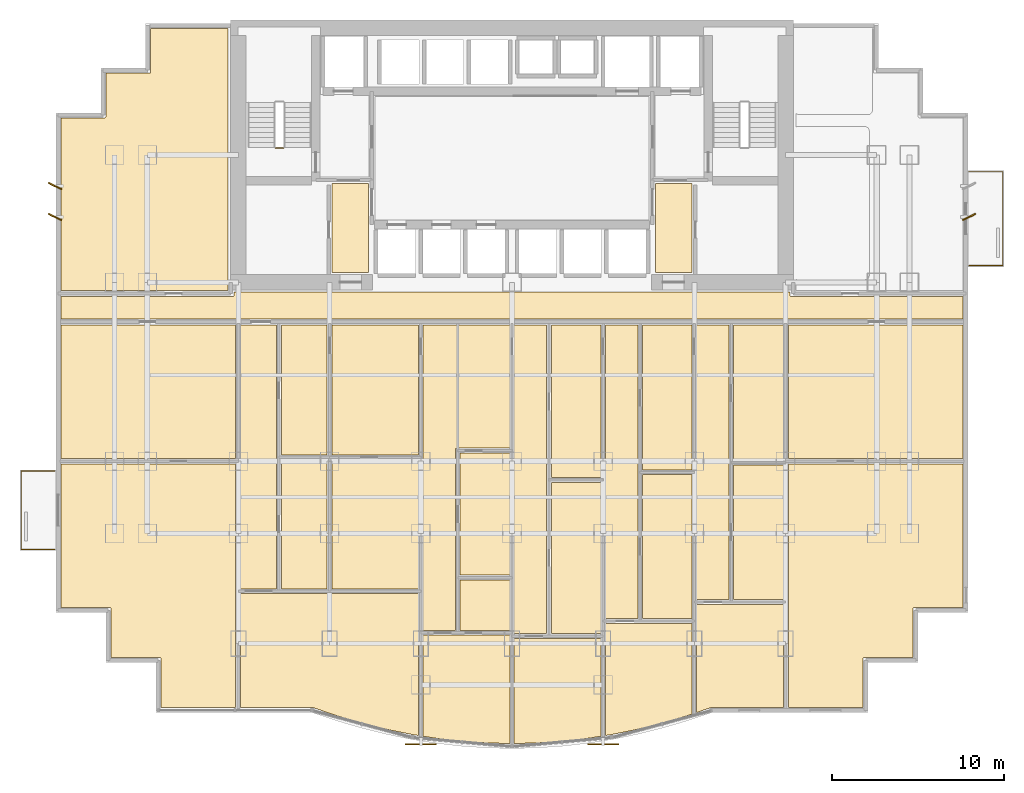
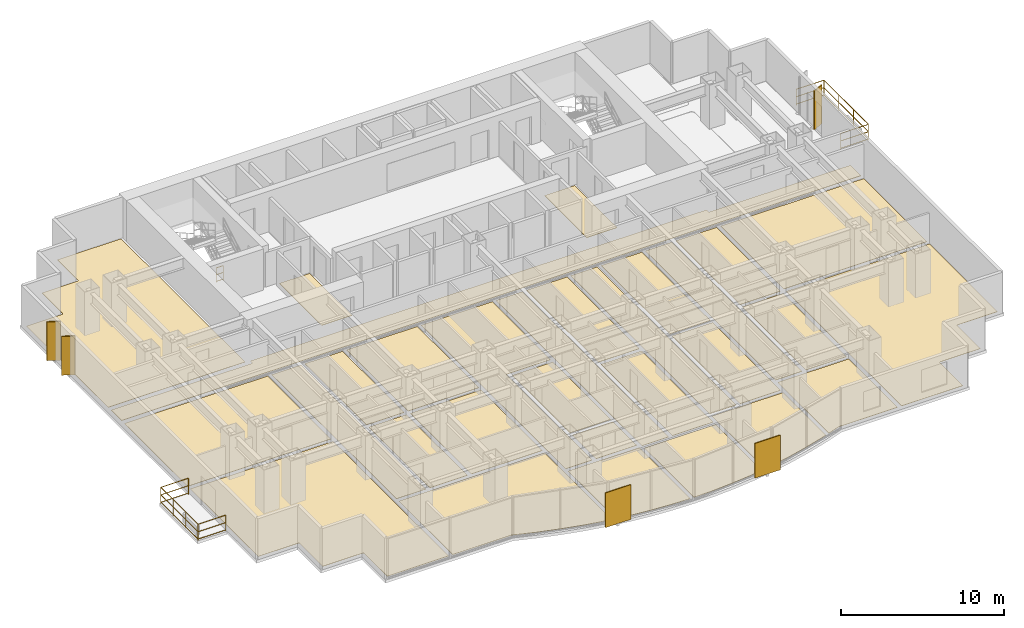
# One storey, part 9 of 10: 30 coverings, 5 shading devices, 3 railings.
"""IFC4 building model written with IfcOpenShell, lengths in metres."""

from ifc_helpers import new_model, si_unit, direction, frame, origin, origin_2d, place, context, subcontext, project, spatial, polyline, rectangle, circle, outline, extrude, source, transform, mapped, material, layer, layer_set, type_object, element, save


model = new_model("IFC4")

# Units and contexts
model_context = context("Model", 3, precision=1e-05, world=origin(), true_north=direction((0.0, 1.0)))
body_context = subcontext(model_context, "Body", "Model", "MODEL_VIEW")
ifc_project = project(units=[si_unit("LENGTHUNIT", "METRE"), si_unit("AREAUNIT", "SQUARE_METRE"), si_unit("VOLUMEUNIT", "CUBIC_METRE"), si_unit("PLANEANGLEUNIT", "RADIAN"), si_unit("MASSUNIT", "GRAM", prefix="KILO")], contexts=[model_context])

# Site, building, storey
site_placement = place(None, origin())
site = spatial("IfcSite", under=ifc_project, at=site_placement, CompositionType="ELEMENT")
building_placement = place(site_placement, origin())
building = spatial("IfcBuilding", under=site, at=building_placement, Name="Qianlan Lanfeng Residences", CompositionType="ELEMENT")
storey_placement = place(building_placement, frame((0.0, 0.0, 57.199951171875)))
storey = spatial("IfcBuildingStorey", under=building, at=storey_placement, Name="L15", CompositionType="ELEMENT", Elevation=57.199951171875)

# Coverings
ifc_material_1 = material(Name="Honed Taitung Granite Stone Flooring", Category="masonry")
ifc_layer_1 = layer(ifc_material_1, 0.030029296875)
ifc_layer_set_1 = layer_set([ifc_layer_1], Name="Honed Taitung Granite Stone Flooring")
covering_type_1 = type_object("IfcCoveringType", Name="FLR-STN-30", PredefinedType="FLOORING", material=ifc_layer_set_1)
covering_1_placement = place(storey_placement, origin())
element("IfcCovering", 1, at=covering_1_placement, inside=storey, type_object=covering_type_1, Name="L15 Residential Corridor Floor Finish", PredefinedType="FLOORING", context=body_context, shape_type="SweptSolid", body=[
    extrude(outline(polyline([(0.2900390625, 23.080078125), (52.7099609375, 23.080078125), (52.7099609375, 24.3701171875), (42.739990234375, 24.3701171875), (42.73291015625, 24.3701171875), (42.72607421875, 24.37109375), (42.719970703125, 24.373046875), (42.712890625, 24.375), (42.70703125, 24.3779296875), (42.700927734375, 24.382080078125), (42.696044921875, 24.385986328125), (42.69091796875, 24.39111328125), (42.68603515625, 24.39599609375), (42.681884765625, 24.40087890625), (42.677978515625, 24.406982421875), (42.675048828125, 24.4130859375), (42.673095703125, 24.419921875), (42.6708984375, 24.426025390625), (42.669921875, 24.43310546875), (42.669921875, 24.43994140625), (42.669921875, 24.64990234375), (10.330078125, 24.64990234375), (10.330078125, 24.43994140625), (10.330078125, 24.43310546875), (10.3291015625, 24.426025390625), (10.326904296875, 24.419921875), (10.324951171875, 24.4130859375), (10.322021484375, 24.406982421875), (10.318115234375, 24.40087890625), (10.31396484375, 24.39599609375), (10.30908203125, 24.39111328125), (10.303955078125, 24.385986328125), (10.299072265625, 24.382080078125), (10.29296875, 24.3779296875), (10.287109375, 24.375), (10.280029296875, 24.373046875), (10.27392578125, 24.37109375), (10.26708984375, 24.3701171875), (10.260009765625, 24.3701171875), (0.2900390625, 24.3701171875), (0.2900390625, 23.080078125)])), origin(), (0.0, 0.0, 1.0), 0.030029296875),
])
covering_2_placement = place(storey_placement, origin())
element("IfcCovering", 2, at=covering_2_placement, inside=storey, type_object=covering_type_1, Name="L15 Lift Lobby Floor Finish", PredefinedType="FLOORING", context=body_context, shape_type="SweptSolid", body=[
    extrude(outline(polyline([(16.030029296875, 25.760009765625), (18.169921875, 25.760009765625), (18.169921875, 30.949951171875), (16.030029296875, 30.949951171875), (16.030029296875, 25.760009765625)])), origin(), (0.0, 0.0, 1.0), 0.030029296875),
])
covering_3_placement = place(storey_placement, origin())
element("IfcCovering", 3, at=covering_3_placement, inside=storey, type_object=covering_type_1, Name="L15 Lift Lobby Floor Finish", PredefinedType="FLOORING", context=body_context, shape_type="SweptSolid", body=[
    extrude(outline(polyline([(34.830078125, 25.760009765625), (36.969970703125, 25.760009765625), (36.969970703125, 30.949951171875), (34.830078125, 30.949951171875), (34.830078125, 25.760009765625)])), origin(), (0.0, 0.0, 1.0), 0.030029296875),
])
ifc_material_2 = material(Name="Slip-Resistant Porcelain Tile Flooring")
ifc_layer_2 = layer(ifc_material_2, 0.02001953125)
ifc_layer_set_2 = layer_set([ifc_layer_2], Name="Slip-Resistant Porcelain Tile Flooring")
covering_type_2 = type_object("IfcCoveringType", Name="FLR-TIL-20", PredefinedType="FLOORING", material=ifc_layer_set_2)
covering_4_placement = place(storey_placement, origin())
element("IfcCovering", 4, at=covering_4_placement, inside=storey, type_object=covering_type_2, Name="L15 Kitchen Floor Finish", PredefinedType="FLOORING", context=body_context, shape_type="SweptSolid", body=[
    extrude(outline(polyline([(13.090087890625, 7.386962890625), (15.760009765625, 7.386962890625), (15.760009765625, 14.884033203125), (13.090087890625, 14.884033203125), (13.090087890625, 7.386962890625)])), origin(), (0.0, 0.0, 1.0), 0.02001953125),
])
covering_5_placement = place(storey_placement, origin())
element("IfcCovering", 5, at=covering_5_placement, inside=storey, type_object=covering_type_2, Name="L15 Bathroom Floor Finish", PredefinedType="FLOORING", context=body_context, shape_type="SweptSolid", body=[
    extrude(outline(polyline([(13.090087890625, 15.1640625), (15.760009765625, 15.1640625), (15.760009765625, 22.72998046875), (13.090087890625, 22.72998046875), (13.090087890625, 15.1640625)])), origin(), (0.0, 0.0, 1.0), 0.02001953125),
])
covering_6_placement = place(storey_placement, origin())
element("IfcCovering", 6, at=covering_6_placement, inside=storey, type_object=covering_type_2, Name="L15 En-Suite Bathroom Floor Finish", PredefinedType="FLOORING", context=body_context, shape_type="SweptSolid", body=[
    extrude(outline(polyline([(23.489990234375, 4.97412109375), (26.3701171875, 4.97412109375), (26.3701171875, 7.89404296875), (23.489990234375, 7.89404296875), (23.489990234375, 4.97412109375)])), origin(), (0.0, 0.0, 1.0), 0.02001953125),
])
ifc_material_3 = material(Name="Engineered Smoked Oak Timber Flooring", Category="wood")
ifc_layer_3 = layer(ifc_material_3, 0.02197265625)
ifc_layer_set_3 = layer_set([ifc_layer_3], Name="Engineered Smoked Oak Timber Flooring")
covering_type_3 = type_object("IfcCoveringType", Name="FLR-TIM-22", PredefinedType="FLOORING", material=ifc_layer_set_3)
covering_7_placement = place(storey_placement, origin())
element("IfcCovering", 7, at=covering_7_placement, inside=storey, type_object=covering_type_3, Name="L15 Living and Dining Room Floor Finish", PredefinedType="FLOORING", context=body_context, shape_type="SweptSolid", body=[
    extrude(outline(polyline([(10.72998046875, 7.10693359375), (10.72998046875, 0.489990234375), (14.885986328125, 0.489990234375), (14.89404296875, 0.489990234375), (14.90087890625, 0.488037109375), (14.908935546875, 0.486083984375), (16.39306640625, -0.014892578125), (17.837890625, -0.43896484375), (19.282958984375, -0.797119140625), (20.72607421875, -1.090087890625), (21.070068359375, -1.14404296875), (21.070068359375, 7.10693359375), (10.72998046875, 7.10693359375)])), origin(), (0.0, 0.0, 1.0), 0.02197265625),
])
covering_8_placement = place(storey_placement, origin())
element("IfcCovering", 8, at=covering_8_placement, inside=storey, type_object=covering_type_3, Name="L15 Family Sitting Room Floor Finish", PredefinedType="FLOORING", context=body_context, shape_type="SweptSolid", body=[
    extrude(outline(polyline([(10.72998046875, 7.386962890625), (12.81005859375, 7.386962890625), (12.81005859375, 22.72998046875), (10.72998046875, 22.72998046875), (10.72998046875, 7.386962890625)])), origin(), (0.0, 0.0, 1.0), 0.02197265625),
])
covering_9_placement = place(storey_placement, origin())
element("IfcCovering", 9, at=covering_9_placement, inside=storey, type_object=covering_type_3, Name="L15 Yoga Studio Floor Finish", PredefinedType="FLOORING", context=body_context, shape_type="SweptSolid", body=[
    extrude(outline(polyline([(16.0400390625, 7.386962890625), (21.06005859375, 7.386962890625), (21.06005859375, 14.884033203125), (16.0400390625, 14.884033203125), (16.0400390625, 7.386962890625)])), origin(), (0.0, 0.0, 1.0), 0.02197265625),
])
covering_10_placement = place(storey_placement, origin())
element("IfcCovering", 10, at=covering_10_placement, inside=storey, type_object=covering_type_3, Name="L15 Club Reading Salon Floor Finish", PredefinedType="FLOORING", context=body_context, shape_type="SweptSolid", body=[
    extrude(outline(polyline([(16.0400390625, 15.1640625), (21.06005859375, 15.1640625), (21.06005859375, 22.72998046875), (16.0400390625, 22.72998046875), (16.0400390625, 15.1640625)])), origin(), (0.0, 0.0, 1.0), 0.02197265625),
])
covering_11_placement = place(storey_placement, origin())
element("IfcCovering", 11, at=covering_11_placement, inside=storey, type_object=covering_type_3, Name="L15 Private Study Floor Finish", PredefinedType="FLOORING", context=body_context, shape_type="SweptSolid", body=[
    extrude(outline(polyline([(23.489990234375, 8.174072265625), (26.3701171875, 8.174072265625), (26.3701171875, 15.277099609375), (23.489990234375, 15.277099609375), (23.489990234375, 8.174072265625)])), origin(), (0.0, 0.0, 1.0), 0.02197265625),
])
covering_12_placement = place(storey_placement, origin())
element("IfcCovering", 12, at=covering_12_placement, inside=storey, type_object=covering_type_3, Name="L15 Villa Family Sitting Room Floor Finish", PredefinedType="FLOORING", context=body_context, shape_type="SweptSolid", body=[
    extrude(outline(polyline([(21.330078125, 4.97412109375), (23.2099609375, 4.97412109375), (23.2099609375, 15.487060546875), (23.2099609375, 15.493896484375), (23.2109375, 15.5009765625), (23.212890625, 15.507080078125), (23.215087890625, 15.513916015625), (23.218017578125, 15.52001953125), (23.221923828125, 15.52587890625), (23.22607421875, 15.531005859375), (23.23095703125, 15.535888671875), (23.236083984375, 15.541015625), (23.240966796875, 15.544921875), (23.2470703125, 15.549072265625), (23.2529296875, 15.552001953125), (23.260009765625, 15.553955078125), (23.26611328125, 15.555908203125), (23.27294921875, 15.556884765625), (23.280029296875, 15.556884765625), (26.3701171875, 15.556884765625), (26.3701171875, 22.72998046875), (21.330078125, 22.72998046875), (21.330078125, 4.97412109375)])), origin(), (0.0, 0.0, 1.0), 0.02197265625),
])
covering_13_placement = place(storey_placement, origin())
element("IfcCovering", 13, at=covering_13_placement, inside=storey, type_object=covering_type_3, Name="L15 Master Bedroom Floor Finish", PredefinedType="FLOORING", context=body_context, shape_type="SweptSolid", body=[
    extrude(outline(polyline([(21.330078125, 4.694091796875), (21.330078125, -1.18505859375), (22.169921875, -1.318115234375), (23.613037109375, -1.47998046875), (25.056884765625, -1.576904296875), (26.3701171875, -1.60693359375), (26.3701171875, 4.694091796875), (21.330078125, 4.694091796875)])), origin(), (0.0, 0.0, 1.0), 0.02197265625),
])
covering_14_placement = place(storey_placement, origin())
element("IfcCovering", 14, at=covering_14_placement, inside=storey, type_object=covering_type_3, Name="L15 Guest Bedroom Floor Finish", PredefinedType="FLOORING", context=body_context, shape_type="SweptSolid", body=[
    extrude(outline(polyline([(26.6298828125, 4.493896484375), (26.6298828125, -1.60693359375), (27.943115234375, -1.576904296875), (29.385986328125, -1.47998046875), (30.830078125, -1.318115234375), (31.669921875, -1.18505859375), (31.669921875, 4.493896484375), (26.6298828125, 4.493896484375)])), origin(), (0.0, 0.0, 1.0), 0.02197265625),
])
covering_15_placement = place(storey_placement, origin())
element("IfcCovering", 15, at=covering_15_placement, inside=storey, type_object=covering_type_3, Name="L15 Private Study Floor Finish", PredefinedType="FLOORING", context=body_context, shape_type="SweptSolid", body=[
    extrude(outline(polyline([(28.7900390625, 4.77392578125), (31.669921875, 4.77392578125), (31.669921875, 13.576904296875), (28.7900390625, 13.576904296875), (28.7900390625, 4.77392578125)])), origin(), (0.0, 0.0, 1.0), 0.02197265625),
])
covering_16_placement = place(storey_placement, origin())
element("IfcCovering", 16, at=covering_16_placement, inside=storey, type_object=covering_type_3, Name="L15 Yoga Studio Floor Finish", PredefinedType="FLOORING", context=body_context, shape_type="SweptSolid", body=[
    extrude(outline(polyline([(28.7900390625, 13.85693359375), (31.669921875, 13.85693359375), (31.669921875, 22.72998046875), (28.7900390625, 22.72998046875), (28.7900390625, 13.85693359375)])), origin(), (0.0, 0.0, 1.0), 0.02197265625),
])
covering_17_placement = place(storey_placement, origin())
element("IfcCovering", 17, at=covering_17_placement, inside=storey, type_object=covering_type_3, Name="L15 Home Office Floor Finish", PredefinedType="FLOORING", context=body_context, shape_type="SweptSolid", body=[
    extrude(outline(polyline([(26.6298828125, 4.77392578125), (28.510009765625, 4.77392578125), (28.510009765625, 22.72998046875), (26.6298828125, 22.72998046875), (26.6298828125, 4.77392578125)])), origin(), (0.0, 0.0, 1.0), 0.02197265625),
])
covering_18_placement = place(storey_placement, origin())
element("IfcCovering", 18, at=covering_18_placement, inside=storey, type_object=covering_type_3, Name="L15 Guest Bedroom Floor Finish", PredefinedType="FLOORING", context=body_context, shape_type="SweptSolid", body=[
    extrude(outline(polyline([(31.929931640625, 5.373046875), (31.929931640625, -1.14404296875), (32.27392578125, -1.090087890625), (33.717041015625, -0.797119140625), (35.160888671875, -0.43896484375), (36.60693359375, -0.014892578125), (36.969970703125, 0.10693359375), (36.969970703125, 5.373046875), (31.929931640625, 5.373046875)])), origin(), (0.0, 0.0, 1.0), 0.02197265625),
])
covering_19_placement = place(storey_placement, origin())
element("IfcCovering", 19, at=covering_19_placement, inside=storey, type_object=covering_type_3, Name="L15 Private Study Floor Finish", PredefinedType="FLOORING", context=body_context, shape_type="SweptSolid", body=[
    extrude(outline(polyline([(34.090087890625, 5.653076171875), (36.969970703125, 5.653076171875), (36.969970703125, 14.01708984375), (34.090087890625, 14.01708984375), (34.090087890625, 5.653076171875)])), origin(), (0.0, 0.0, 1.0), 0.02197265625),
])
covering_20_placement = place(storey_placement, origin())
element("IfcCovering", 20, at=covering_20_placement, inside=storey, type_object=covering_type_3, Name="L15 Yoga Studio Floor Finish", PredefinedType="FLOORING", context=body_context, shape_type="SweptSolid", body=[
    extrude(outline(polyline([(34.090087890625, 14.297119140625), (36.969970703125, 14.297119140625), (36.969970703125, 22.72998046875), (34.090087890625, 22.72998046875), (34.090087890625, 14.297119140625)])), origin(), (0.0, 0.0, 1.0), 0.02197265625),
])
covering_21_placement = place(storey_placement, origin())
element("IfcCovering", 21, at=covering_21_placement, inside=storey, type_object=covering_type_3, Name="L15 Home Office Floor Finish", PredefinedType="FLOORING", context=body_context, shape_type="SweptSolid", body=[
    extrude(outline(polyline([(31.929931640625, 5.653076171875), (33.81005859375, 5.653076171875), (33.81005859375, 22.72998046875), (31.929931640625, 22.72998046875), (31.929931640625, 5.653076171875)])), origin(), (0.0, 0.0, 1.0), 0.02197265625),
])
covering_22_placement = place(storey_placement, origin())
element("IfcCovering", 22, at=covering_22_placement, inside=storey, type_object=covering_type_3, Name="L15 Guest Bedroom Floor Finish", PredefinedType="FLOORING", context=body_context, shape_type="SweptSolid", body=[
    extrude(outline(polyline([(37.22998046875, 6.47998046875), (37.22998046875, 0.195068359375), (38.091064453125, 0.486083984375), (38.09912109375, 0.488037109375), (38.10595703125, 0.489990234375), (38.114013671875, 0.489990234375), (42.27001953125, 0.489990234375), (42.27001953125, 6.47998046875), (37.22998046875, 6.47998046875)])), origin(), (0.0, 0.0, 1.0), 0.02197265625),
])
covering_23_placement = place(storey_placement, origin())
element("IfcCovering", 23, at=covering_23_placement, inside=storey, type_object=covering_type_3, Name="L15 Private Study Floor Finish", PredefinedType="FLOORING", context=body_context, shape_type="SweptSolid", body=[
    extrude(outline(polyline([(39.389892578125, 6.760009765625), (42.27001953125, 6.760009765625), (42.27001953125, 14.570068359375), (39.389892578125, 14.570068359375), (39.389892578125, 6.760009765625)])), origin(), (0.0, 0.0, 1.0), 0.02197265625),
])
covering_24_placement = place(storey_placement, origin())
element("IfcCovering", 24, at=covering_24_placement, inside=storey, type_object=covering_type_3, Name="L15 Yoga Studio Floor Finish", PredefinedType="FLOORING", context=body_context, shape_type="SweptSolid", body=[
    extrude(outline(polyline([(39.389892578125, 14.85009765625), (42.27001953125, 14.85009765625), (42.27001953125, 22.72998046875), (39.389892578125, 22.72998046875), (39.389892578125, 14.85009765625)])), origin(), (0.0, 0.0, 1.0), 0.02197265625),
])
covering_25_placement = place(storey_placement, origin())
element("IfcCovering", 25, at=covering_25_placement, inside=storey, type_object=covering_type_3, Name="L15 Home Office Floor Finish", PredefinedType="FLOORING", context=body_context, shape_type="SweptSolid", body=[
    extrude(outline(polyline([(37.22998046875, 6.760009765625), (39.110107421875, 6.760009765625), (39.110107421875, 22.72998046875), (37.22998046875, 22.72998046875), (37.22998046875, 6.760009765625)])), origin(), (0.0, 0.0, 1.0), 0.02197265625),
])
covering_26_placement = place(storey_placement, origin())
element("IfcCovering", 26, at=covering_26_placement, inside=storey, type_object=covering_type_3, Name="L15 Sunroom Floor Finish", PredefinedType="FLOORING", context=body_context, shape_type="SweptSolid", body=[
    extrude(outline(polyline([(10.43994140625, 14.64990234375), (0.2900390625, 14.64990234375), (0.2900390625, 6.2900390625), (3.1201171875, 6.2900390625), (3.126953125, 6.2900390625), (3.134033203125, 6.2890625), (3.139892578125, 6.287109375), (3.14697265625, 6.284912109375), (3.153076171875, 6.281982421875), (3.158935546875, 6.278076171875), (3.1640625, 6.27392578125), (3.1689453125, 6.26904296875), (3.174072265625, 6.263916015625), (3.177978515625, 6.259033203125), (3.181884765625, 6.2529296875), (3.18505859375, 6.2470703125), (3.18701171875, 6.239990234375), (3.18896484375, 6.23388671875), (3.18994140625, 6.22705078125), (3.18994140625, 6.219970703125), (3.18994140625, 3.389892578125), (6.02001953125, 3.389892578125), (6.027099609375, 3.389892578125), (6.033935546875, 3.388916015625), (6.0400390625, 3.386962890625), (6.047119140625, 3.385009765625), (6.052978515625, 3.382080078125), (6.05908203125, 3.3779296875), (6.06396484375, 3.3740234375), (6.069091796875, 3.368896484375), (6.073974609375, 3.364013671875), (6.077880859375, 3.35888671875), (6.08203125, 3.35302734375), (6.0849609375, 3.346923828125), (6.0869140625, 3.340087890625), (6.089111328125, 3.333984375), (6.090087890625, 3.326904296875), (6.090087890625, 3.320068359375), (6.090087890625, 0.489990234375), (10.43994140625, 0.489990234375), (10.43994140625, 14.64990234375)])), origin(), (0.0, 0.0, 1.0), 0.02197265625),
])
covering_27_placement = place(storey_placement, origin())
element("IfcCovering", 27, at=covering_27_placement, inside=storey, type_object=covering_type_3, Name="L15 Family Sitting Room Floor Finish", PredefinedType="FLOORING", context=body_context, shape_type="SweptSolid", body=[
    extrude(outline(polyline([(10.43994140625, 22.72998046875), (0.2900390625, 22.72998046875), (0.2900390625, 14.949951171875), (10.43994140625, 14.949951171875), (10.43994140625, 22.72998046875)])), origin(), (0.0, 0.0, 1.0), 0.02197265625),
])
covering_28_placement = place(storey_placement, origin())
element("IfcCovering", 28, at=covering_28_placement, inside=storey, type_object=covering_type_3, Name="L15 Sunroom Floor Finish", PredefinedType="FLOORING", context=body_context, shape_type="SweptSolid", body=[
    extrude(outline(polyline([(52.7099609375, 14.64990234375), (42.56005859375, 14.64990234375), (42.56005859375, 0.489990234375), (46.909912109375, 0.489990234375), (46.909912109375, 3.320068359375), (46.909912109375, 3.326904296875), (46.910888671875, 3.333984375), (46.9130859375, 3.340087890625), (46.9150390625, 3.346923828125), (46.91796875, 3.35302734375), (46.922119140625, 3.35888671875), (46.926025390625, 3.364013671875), (46.930908203125, 3.368896484375), (46.93603515625, 3.3740234375), (46.94091796875, 3.3779296875), (46.947021484375, 3.382080078125), (46.952880859375, 3.385009765625), (46.9599609375, 3.386962890625), (46.966064453125, 3.388916015625), (46.972900390625, 3.389892578125), (46.97998046875, 3.389892578125), (49.81005859375, 3.389892578125), (49.81005859375, 6.219970703125), (49.81005859375, 6.22705078125), (49.81103515625, 6.23388671875), (49.81298828125, 6.239990234375), (49.81494140625, 6.2470703125), (49.818115234375, 6.2529296875), (49.822021484375, 6.259033203125), (49.825927734375, 6.263916015625), (49.8310546875, 6.26904296875), (49.8359375, 6.27392578125), (49.841064453125, 6.278076171875), (49.846923828125, 6.281982421875), (49.85302734375, 6.284912109375), (49.860107421875, 6.287109375), (49.865966796875, 6.2890625), (49.873046875, 6.2900390625), (49.8798828125, 6.2900390625), (52.7099609375, 6.2900390625), (52.7099609375, 14.64990234375)])), origin(), (0.0, 0.0, 1.0), 0.02197265625),
])
covering_29_placement = place(storey_placement, origin())
element("IfcCovering", 29, at=covering_29_placement, inside=storey, type_object=covering_type_3, Name="L15 Private Study Floor Finish", PredefinedType="FLOORING", context=body_context, shape_type="SweptSolid", body=[
    extrude(outline(polyline([(52.7099609375, 22.72998046875), (42.56005859375, 22.72998046875), (42.56005859375, 14.949951171875), (52.7099609375, 14.949951171875), (52.7099609375, 22.72998046875)])), origin(), (0.0, 0.0, 1.0), 0.02197265625),
])
covering_30_placement = place(storey_placement, origin())
element("IfcCovering", 30, at=covering_30_placement, inside=storey, type_object=covering_type_3, Name="L15 Yoga Studio Floor Finish", PredefinedType="FLOORING", context=body_context, shape_type="SweptSolid", body=[
    extrude(outline(polyline([(10.0, 24.719970703125), (10.0, 39.9599609375), (5.489990234375, 39.9599609375), (5.489990234375, 37.429931640625), (5.489990234375, 37.423095703125), (5.489013671875, 37.416015625), (5.487060546875, 37.409912109375), (5.485107421875, 37.403076171875), (5.48193359375, 37.39697265625), (5.47802734375, 37.39111328125), (5.47412109375, 37.385986328125), (5.468994140625, 37.381103515625), (5.464111328125, 37.3759765625), (5.458984375, 37.3720703125), (5.452880859375, 37.367919921875), (5.447021484375, 37.364990234375), (5.43994140625, 37.363037109375), (5.43408203125, 37.361083984375), (5.427001953125, 37.360107421875), (5.419921875, 37.360107421875), (2.889892578125, 37.360107421875), (2.889892578125, 34.830078125), (2.889892578125, 34.822998046875), (2.888916015625, 34.81591796875), (2.886962890625, 34.81005859375), (2.885009765625, 34.802978515625), (2.882080078125, 34.797119140625), (2.8779296875, 34.791015625), (2.8740234375, 34.785888671875), (2.868896484375, 34.781005859375), (2.864013671875, 34.77587890625), (2.85888671875, 34.77197265625), (2.85302734375, 34.76806640625), (2.846923828125, 34.764892578125), (2.840087890625, 34.762939453125), (2.833984375, 34.760986328125), (2.826904296875, 34.760009765625), (2.820068359375, 34.760009765625), (0.2900390625, 34.760009765625), (0.2900390625, 24.719970703125), (10.0, 24.719970703125)])), origin(), (0.0, 0.0, 1.0), 0.02197265625),
])

# Railings
ifc_material_4 = material(Name="Anodised Bronze Aluminium and Laminated Glass Guard Balustrade", Category="aluminium")
railing_type_1 = type_object("IfcRailingType", Name="GR-EXT-1220", PredefinedType="BALUSTRADE", material=ifc_material_4)
railing_1_placement = place(storey_placement, frame((-0.070068359375, 9.669921875, 0.0)))
element("IfcRailing", 31, at=railing_1_placement, inside=storey, type_object=railing_type_1, Name="L15 Terrace Safety Guard GR-L15-WB-S", PredefinedType="BALUSTRADE", context=body_context, shape_type="SweptSolid", body=[
    extrude(circle(Radius=0.02490234375, at=origin_2d()), frame((0.0, 0.0, 0.0849609375), z_axis=(-1.0, 0.0, 0.0), x_axis=(0.0, -1.0, 0.0)), (0.0, 0.0, 1.0), 1.9599609375),
    extrude(circle(Radius=0.02490234375, at=origin_2d()), frame((0.0, 0.0, 0.63427734375), z_axis=(-1.0, 0.0, 0.0), x_axis=(0.0, -1.0, 0.0)), (0.0, 0.0, 1.0), 1.9599609375),
    extrude(circle(Radius=0.02490234375, at=origin_2d()), frame((0.0, 0.0, 1.19482421875), z_axis=(-1.0, 0.0, 0.0), x_axis=(0.0, -1.0, 0.0)), (0.0, 0.0, 1.0), 1.9599609375),
    extrude(circle(Radius=0.02490234375, at=origin_2d()), frame((-1.9599609375, 0.0, 0.0849609375), z_axis=(0.0, 1.0, 0.0), x_axis=(-1.0, 0.0, 0.0)), (0.0, 0.0, 1.0), 4.56005859375),
    extrude(circle(Radius=0.02490234375, at=origin_2d()), frame((-1.9599609375, 0.0, 0.63427734375), z_axis=(0.0, 1.0, 0.0), x_axis=(-1.0, 0.0, 0.0)), (0.0, 0.0, 1.0), 4.56005859375),
    extrude(circle(Radius=0.02490234375, at=origin_2d()), frame((-1.9599609375, 0.0, 1.19482421875), z_axis=(0.0, 1.0, 0.0), x_axis=(-1.0, 0.0, 0.0)), (0.0, 0.0, 1.0), 4.56005859375),
    extrude(circle(Radius=0.02490234375, at=origin_2d()), frame((-1.9599609375, 4.56005859375, 0.0849609375), z_axis=(1.0, 0.0, 0.0), x_axis=(0.0, 1.0, 0.0)), (0.0, 0.0, 1.0), 1.9599609375),
    extrude(circle(Radius=0.02490234375, at=origin_2d()), frame((-1.9599609375, 4.56005859375, 0.63427734375), z_axis=(1.0, 0.0, 0.0), x_axis=(0.0, 1.0, 0.0)), (0.0, 0.0, 1.0), 1.9599609375),
    extrude(circle(Radius=0.02490234375, at=origin_2d()), frame((-1.9599609375, 4.56005859375, 1.19482421875), z_axis=(1.0, 0.0, 0.0), x_axis=(0.0, 1.0, 0.0)), (0.0, 0.0, 1.0), 1.9599609375),
    extrude(circle(Radius=0.02099609375, at=origin_2d()), origin(), (0.0, 0.0, 1.0), 1.169921875),
    extrude(circle(Radius=0.02099609375, at=origin_2d()), frame((-1.9599609375, 0.0, 0.0)), (0.0, 0.0, 1.0), 1.169921875),
    extrude(circle(Radius=0.02099609375, at=origin_2d()), frame((-1.9599609375, 1.52001953125, 0.0)), (0.0, 0.0, 1.0), 1.169921875),
    extrude(circle(Radius=0.02099609375, at=origin_2d()), frame((-1.9599609375, 3.0400390625, 0.0)), (0.0, 0.0, 1.0), 1.169921875),
    extrude(circle(Radius=0.02099609375, at=origin_2d()), frame((-1.9599609375, 4.56005859375, 0.0)), (0.0, 0.0, 1.0), 1.169921875),
    extrude(circle(Radius=0.02099609375, at=origin_2d()), frame((0.0, 4.56005859375, 0.0)), (0.0, 0.0, 1.0), 1.169921875),
])
railing_2_placement = place(storey_placement, frame((53.070068359375, 31.6298828125, 0.0)))
element("IfcRailing", 32, at=railing_2_placement, inside=storey, type_object=railing_type_1, Name="L15 Terrace Safety Guard GR-L15-EB-N", PredefinedType="BALUSTRADE", context=body_context, shape_type="SweptSolid", body=[
    extrude(circle(Radius=0.02490234375, at=origin_2d()), frame((0.0, 0.0, 0.0849609375), z_axis=(1.0, 0.0, 0.0), x_axis=(0.0, 1.0, 0.0)), (0.0, 0.0, 1.0), 1.9599609375),
    extrude(circle(Radius=0.02490234375, at=origin_2d()), frame((0.0, 0.0, 0.63427734375), z_axis=(1.0, 0.0, 0.0), x_axis=(0.0, 1.0, 0.0)), (0.0, 0.0, 1.0), 1.9599609375),
    extrude(circle(Radius=0.02490234375, at=origin_2d()), frame((0.0, 0.0, 1.19482421875), z_axis=(1.0, 0.0, 0.0), x_axis=(0.0, 1.0, 0.0)), (0.0, 0.0, 1.0), 1.9599609375),
    extrude(circle(Radius=0.02490234375, at=origin_2d()), frame((1.9599609375, 0.0, 0.0849609375), z_axis=(0.0, -1.0, 0.0), x_axis=(1.0, 0.0, 0.0)), (0.0, 0.0, 1.0), 5.4599609375),
    extrude(circle(Radius=0.02490234375, at=origin_2d()), frame((1.9599609375, 0.0, 0.63427734375), z_axis=(0.0, -1.0, 0.0), x_axis=(1.0, 0.0, 0.0)), (0.0, 0.0, 1.0), 5.4599609375),
    extrude(circle(Radius=0.02490234375, at=origin_2d()), frame((1.9599609375, 0.0, 1.19482421875), z_axis=(0.0, -1.0, 0.0), x_axis=(1.0, 0.0, 0.0)), (0.0, 0.0, 1.0), 5.4599609375),
    extrude(circle(Radius=0.02490234375, at=origin_2d()), frame((1.9599609375, -5.4599609375, 0.0849609375), z_axis=(-1.0, 0.0, 0.0), x_axis=(0.0, -1.0, 0.0)), (0.0, 0.0, 1.0), 1.9599609375),
    extrude(circle(Radius=0.02490234375, at=origin_2d()), frame((1.9599609375, -5.4599609375, 0.63427734375), z_axis=(-1.0, 0.0, 0.0), x_axis=(0.0, -1.0, 0.0)), (0.0, 0.0, 1.0), 1.9599609375),
    extrude(circle(Radius=0.02490234375, at=origin_2d()), frame((1.9599609375, -5.4599609375, 1.19482421875), z_axis=(-1.0, 0.0, 0.0), x_axis=(0.0, -1.0, 0.0)), (0.0, 0.0, 1.0), 1.9599609375),
    extrude(circle(Radius=0.02099609375, at=origin_2d()), origin(), (0.0, 0.0, 1.0), 1.169921875),
    extrude(circle(Radius=0.02099609375, at=origin_2d()), frame((1.9599609375, 0.0, 0.0)), (0.0, 0.0, 1.0), 1.169921875),
    extrude(circle(Radius=0.02099609375, at=origin_2d()), frame((1.9599609375, -1.820068359375, 0.0)), (0.0, 0.0, 1.0), 1.169921875),
    extrude(circle(Radius=0.02099609375, at=origin_2d()), frame((1.9599609375, -3.639892578125, 0.0)), (0.0, 0.0, 1.0), 1.169921875),
    extrude(circle(Radius=0.02099609375, at=origin_2d()), frame((1.9599609375, -5.4599609375, 0.0)), (0.0, 0.0, 1.0), 1.169921875),
    extrude(circle(Radius=0.02099609375, at=origin_2d()), frame((0.0, -5.4599609375, 0.0)), (0.0, 0.0, 1.0), 1.169921875),
])
ifc_material_5 = material(Name="Painted Galvanised Steel Guardrail", Category="steel")
railing_type_2 = type_object("IfcRailingType", Name="GR-ST-1120", PredefinedType="GUARDRAIL", material=ifc_material_5)
railing_3_placement = place(storey_placement, frame((13.219970703125, 33.0, 0.0)))
element("IfcRailing", 33, at=railing_3_placement, inside=storey, type_object=railing_type_2, Name="L15 ST-1 stair guard 4", PredefinedType="GUARDRAIL", context=body_context, shape_type="SweptSolid", body=[
    extrude(circle(Radius=0.02392578125, at=origin_2d()), frame((0.0, 0.0, 0.083984375), z_axis=(-1.0, 0.0, 0.0), x_axis=(0.0, -1.0, 0.0)), (0.0, 0.0, 1.0), 0.47998046875),
    extrude(circle(Radius=0.02392578125, at=origin_2d()), frame((0.0, 0.0, 0.58251953125), z_axis=(-1.0, 0.0, 0.0), x_axis=(0.0, -1.0, 0.0)), (0.0, 0.0, 1.0), 0.47998046875),
    extrude(circle(Radius=0.02392578125, at=origin_2d()), frame((0.0, 0.0, 1.09619140625), z_axis=(-1.0, 0.0, 0.0), x_axis=(0.0, -1.0, 0.0)), (0.0, 0.0, 1.0), 0.47998046875),
    extrude(circle(Radius=0.02099609375, at=origin_2d()), origin(), (0.0, 0.0, 1.0), 1.072021484375),
    extrude(circle(Radius=0.02099609375, at=origin_2d()), frame((-0.47998046875, 0.0, 0.0)), (0.0, 0.0, 1.0), 1.072021484375),
])

# Shading devices
ifc_material_6 = material(Name="Perforated Bronze Aluminium Solar Screen", Category="aluminium")
shading_device_type_1 = type_object("IfcShadingDeviceType", Name="SCR-BRZ-1800", PredefinedType="JALOUSIE", material=ifc_material_6)
shared_shape_1 = source(origin(), body_context, "Body", "SweptSolid", [
    extrude(rectangle(XDim=1.800048828125, YDim=0.06005859375, at=origin_2d()), origin(), (0.0, 0.0, 1.0), 2.60009765625),
])
for number, where, z_axis, x_axis, name in (
    (34, (21.199951171875, -1.659912109375, 0.0), (0.0, 0.0, 1.0), (1.0, 0.0, 0.0), "L15 Perforated Bronze Solar Screen 1"),
    (35, (31.800048828125, -1.659912109375, 0.0), (0.0, 0.0, 1.0), (1.0, 0.0, 0.0), "L15 Perforated Bronze Solar Screen 2"),
):
    element("IfcShadingDevice", number, at=place(storey_placement, frame(where, z_axis=z_axis, x_axis=x_axis)), inside=storey, type_object=shading_device_type_1, Name=name, PredefinedType="JALOUSIE", context=body_context, shape_type="MappedRepresentation", body=[
        mapped(shared_shape_1, transform((0.0, 0.0, 0.0), scale=1.0)),
    ])
ifc_material_7 = material(Name="Anodised Bronze Aluminium Solar Fin", Category="aluminium")
shading_device_type_2 = type_object("IfcShadingDeviceType", Name="FIN-BRZ-850", PredefinedType="SHUTTER", material=ifc_material_7)
shared_shape_2 = source(origin(), body_context, "Body", "SweptSolid", [
    extrude(rectangle(XDim=0.85009765625, YDim=0.080078125, at=origin_2d()), origin(), (0.0, 0.0, 1.0), 2.89990234375),
])
for number, where, z_axis, x_axis, name in (
    (36, (-0.070068359375, 29.0, 0.0), (0.0, 0.0, 1.0), (0.898794046299, -0.438371146789, 0.0), "L15 Raked Bronze Solar Fin W1"),
    (37, (-0.070068359375, 30.800048828125, 0.0), (0.0, 0.0, 1.0), (0.898794046299, -0.438371146789, 0.0), "L15 Raked Bronze Solar Fin W2"),
    (38, (53.070068359375, 29.0, 0.0), (0.0, 0.0, 1.0), (0.898794046299, 0.438371146789, 0.0), "L15 Raked Bronze Solar Fin E1"),
):
    element("IfcShadingDevice", number, at=place(storey_placement, frame(where, z_axis=z_axis, x_axis=x_axis)), inside=storey, type_object=shading_device_type_2, Name=name, PredefinedType="SHUTTER", context=body_context, shape_type="MappedRepresentation", body=[
        mapped(shared_shape_2, transform((0.0, 0.0, 0.0), scale=1.0)),
    ])

save(model, "model.ifc")
